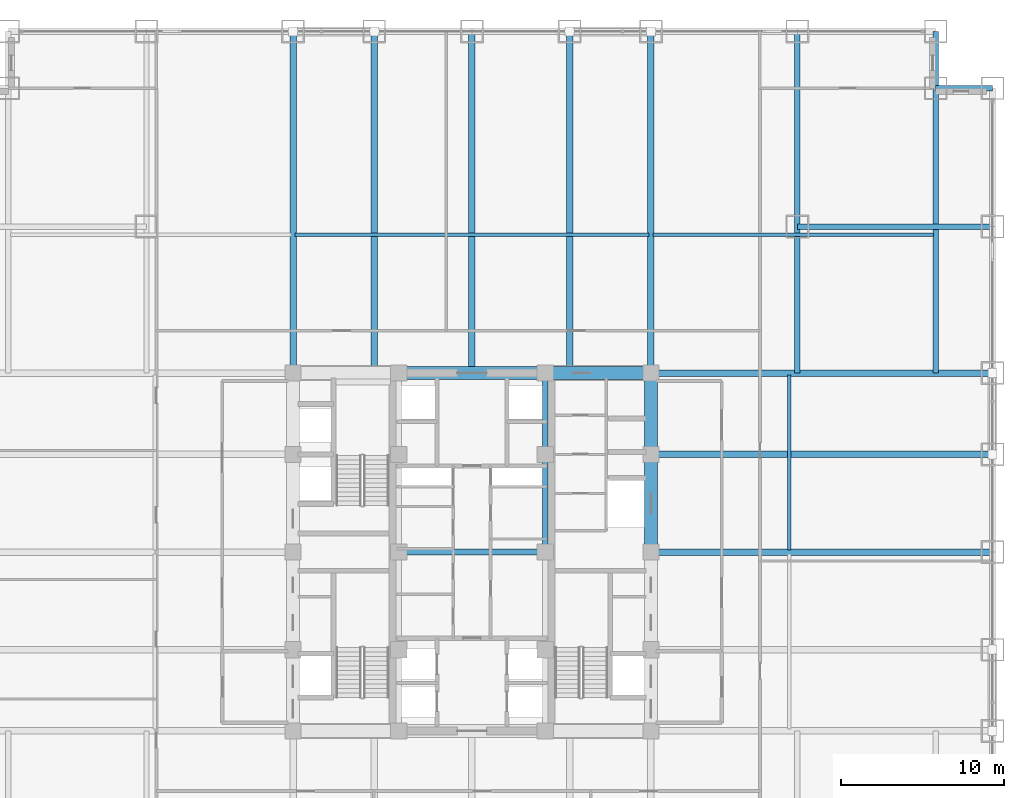
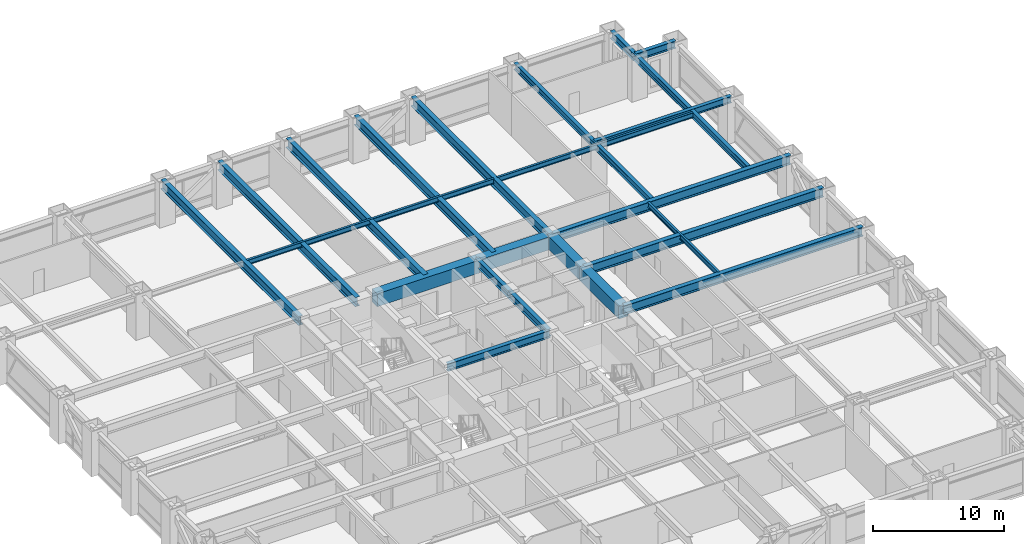
# One storey, part 15 of 28: 23 beams.
"""IFC4 building model written with IfcOpenShell, lengths in metres."""

import ifcopenshell
import ifcopenshell.guid

model = None  # the IFC model being written
_history = None  # IfcOwnerHistory: only IFC2X3 demands one
_inside = {}  # id of a spatial element -> (the spatial element, [elements in it])
_under = {}  # id of a project, library or spatial element -> (it, [spatial elements below it])
_declared = {}  # id of a project -> (the project, [libraries it declares])
_typed = {}  # id of a type object -> (the type object, [elements of that type])
_made_of = {}  # id of a material, layer set ... -> (it, [elements and type objects made of it])


def new_model(schema):
    """Start an empty IFC model of exactly this schema.

    Asked for "IFC4X3", IfcOpenShell would pick the latest addendum, in which some entities
    have other attributes; the version numbers below select the first issue.
    IFC2X3 requires an IfcOwnerHistory on every rooted entity: one is made here for all.
    """
    global model, _history
    if schema == "IFC4X3":
        model = ifcopenshell.file(schema_version=(4, 3, 0, 0))
    else:
        model = ifcopenshell.file(schema=schema)
    _inside.clear()
    _under.clear()
    _declared.clear()
    _typed.clear()
    _made_of.clear()
    _history = None
    if model.schema == "IFC2X3":
        org = make("IfcOrganization", Name="unknown")
        user = make(
            "IfcPersonAndOrganization",
            ThePerson=make("IfcPerson", FamilyName="unknown"),
            TheOrganization=org,
        )
        app = make(
            "IfcApplication",
            ApplicationDeveloper=org,
            Version="unknown",
            ApplicationFullName="unknown",
            ApplicationIdentifier="unknown",
        )
        _history = make(
            "IfcOwnerHistory",
            OwningUser=user,
            OwningApplication=app,
            ChangeAction="ADDED",
            CreationDate=0,
        )
    return model


def make(cls, **values):
    """One entity of the class cls with the attributes given. An attribute that is None is left unset."""
    return model.create_entity(
        cls, **{name: value for name, value in values.items() if value is not None}
    )


def rooted(cls, **values):
    """An entity with a GlobalId (a new one), such as an element, a storey or a relation."""
    return make(cls, GlobalId=ifcopenshell.guid.new(), OwnerHistory=_history, **values)


def si_unit(unit_type, name, prefix=None):
    """IfcSIUnit, for example si_unit("LENGTHUNIT", "METRE", prefix="MILLI")."""
    return make("IfcSIUnit", UnitType=unit_type, Prefix=prefix, Name=name)


def assignment(units):
    """IfcUnitAssignment: the units of a project."""
    return None if units is None else make("IfcUnitAssignment", Units=units)


def point(xyz):
    """IfcCartesianPoint."""
    return None if xyz is None else make("IfcCartesianPoint", Coordinates=xyz)


def direction(xyz):
    """IfcDirection."""
    return None if xyz is None else make("IfcDirection", DirectionRatios=xyz)


def frame(location, z_axis=None, x_axis=None):
    """IfcAxis2Placement3D, a coordinate frame: its origin and axes. An axis left out is left unset."""
    return make(
        "IfcAxis2Placement3D",
        Location=point(location),
        Axis=direction(z_axis),
        RefDirection=direction(x_axis),
    )


def frame_2d(location, x_axis=None):
    """IfcAxis2Placement2D, a coordinate frame in the plane: its origin and x axis."""
    return make(
        "IfcAxis2Placement2D", Location=point(location), RefDirection=direction(x_axis)
    )


def origin():
    """The frame at (0, 0, 0) with its axes left unset."""
    return frame((0.0, 0.0, 0.0))


def origin_2d():
    """The frame at (0, 0) in the plane with its x axis left unset."""
    return frame_2d((0.0, 0.0))


def place(relative_to, where):
    """IfcLocalPlacement: puts the frame where relative to a parent placement (None: the world)."""
    return make(
        "IfcLocalPlacement", PlacementRelTo=relative_to, RelativePlacement=where
    )


def context(
    kind, dimensions, precision=None, world=None, true_north=None, identifier=None
):
    """IfcGeometricRepresentationContext, for example the 3D "Model" context."""
    return make(
        "IfcGeometricRepresentationContext",
        ContextIdentifier=identifier,
        ContextType=kind,
        CoordinateSpaceDimension=dimensions,
        Precision=precision,
        WorldCoordinateSystem=world,
        TrueNorth=true_north,
    )


def subcontext(parent, identifier, kind, view, scale=None):
    """IfcGeometricRepresentationSubContext, for example "Body" below "Model"."""
    return make(
        "IfcGeometricRepresentationSubContext",
        ContextIdentifier=identifier,
        ContextType=kind,
        ParentContext=parent,
        TargetScale=scale,
        TargetView=view,
    )


def project(units=None, contexts=None):
    """IfcProject with its units and contexts."""
    return rooted(
        "IfcProject",
        Name="project",
        RepresentationContexts=contexts,
        UnitsInContext=assignment(units),
    )


def spatial(cls, under=None, at=None, **own):
    """A site, building, storey or space (cls), placed at a placement, below another one or the project."""
    s = rooted(cls, ObjectPlacement=at, **own)
    if under is not None:
        _under.setdefault(under.id(), (under, []))[1].append(s)
    return s


def profile(cls, at=None, kind="AREA", **sizes):
    """A parametric profile (cls). Its sizes go by their IFC names, for example OverallWidth=200.0."""
    return make(cls, ProfileType=kind, Position=at, **sizes)


def rectangle(**sizes):
    """IfcRectangleProfileDef."""
    return profile("IfcRectangleProfileDef", **sizes)


def i_section(**sizes):
    """IfcIShapeProfileDef."""
    return profile("IfcIShapeProfileDef", **sizes)


def extrude(swept, where, along, depth):
    """IfcExtrudedAreaSolid: the profile swept, set in the frame where, extruded along a direction by depth."""
    return make(
        "IfcExtrudedAreaSolid",
        SweptArea=swept,
        Position=where,
        ExtrudedDirection=direction(along),
        Depth=depth,
    )


def shape(context_of_items, identifier, shape_type, items):
    """IfcShapeRepresentation: the items that make up one representation, for example the "Body"."""
    return make(
        "IfcShapeRepresentation",
        ContextOfItems=context_of_items,
        RepresentationIdentifier=identifier,
        RepresentationType=shape_type,
        Items=items,
    )


def source(mapping_origin, context_of_items, identifier, shape_type, items):
    """IfcRepresentationMap: a shape defined once, which mapped items show again and again."""
    return make(
        "IfcRepresentationMap",
        MappingOrigin=mapping_origin,
        MappedRepresentation=shape(context_of_items, identifier, shape_type, items),
    )


def transform(
    local_origin,
    x_axis=None,
    y_axis=None,
    z_axis=None,
    scale=None,
    scale2=None,
    scale3=None,
    uniform=True,
):
    """IfcCartesianTransformationOperator3D, or its non-uniform kind. x_axis, y_axis, z_axis: its Axis1, 2, 3."""
    if uniform:
        return make(
            "IfcCartesianTransformationOperator3D",
            Axis1=direction(x_axis),
            Axis2=direction(y_axis),
            LocalOrigin=point(local_origin),
            Scale=scale,
            Axis3=direction(z_axis),
        )
    return make(
        "IfcCartesianTransformationOperator3DnonUniform",
        Axis1=direction(x_axis),
        Axis2=direction(y_axis),
        LocalOrigin=point(local_origin),
        Scale=scale,
        Axis3=direction(z_axis),
        Scale2=scale2,
        Scale3=scale3,
    )


def mapped(mapping_source, mapping_target):
    """IfcMappedItem: shows the shape of a source again, moved by a transform."""
    return make(
        "IfcMappedItem", MappingSource=mapping_source, MappingTarget=mapping_target
    )


def material(Name=None, Category=None):
    """IfcMaterial."""
    return make("IfcMaterial", Name=Name, Category=Category)


def material_profile(
    of_material, cross_section, Name=None, Category=None, Priority=None
):
    """IfcMaterialProfile: a cross section and its material."""
    return make(
        "IfcMaterialProfile",
        Name=Name,
        Material=of_material,
        Profile=cross_section,
        Priority=Priority,
        Category=Category,
    )


def profile_set(profiles, Name=None, composite=None):
    """IfcMaterialProfileSet."""
    return make(
        "IfcMaterialProfileSet",
        Name=Name,
        MaterialProfiles=profiles,
        CompositeProfile=composite,
    )


def made_of(thing, what):
    """Note that an element or type object is made of a material, layer set ...; save() writes the relation."""
    if what is not None:
        _made_of.setdefault(what.id(), (what, []))[1].append(thing)
    return thing


def type_object(cls, material=None, **own):
    """A type object (cls), such as IfcWallType, which elements share."""
    return made_of(rooted(cls, **own), material)


def element(
    cls,
    number,
    at=None,
    inside=None,
    cuts=None,
    type_object=None,
    material=None,
    context=None,
    identifier="Body",
    shape_type=None,
    held_by="IfcProductDefinitionShape",
    body=None,
    shapes=None,
    **own,
):
    """One element of the class cls, such as IfcWall. Its Tag is "e" and its number.

    at: its placement. inside: the storey or other place that contains it. cuts: it is an
    opening in that element (IfcRelVoidsElement). A single representation is given by context,
    identifier, shape_type and body (its items); several are given by shapes. held_by: the class
    of the entity that holds the representations. save() writes the other relations.
    """
    e = rooted(cls, Tag="e%d" % number, ObjectPlacement=at, **own)
    if body is not None:
        shapes = [shape(context, identifier, shape_type, body)]
    if shapes is not None:
        e.Representation = make(held_by, Representations=shapes)
    if inside is not None:
        _inside.setdefault(inside.id(), (inside, []))[1].append(e)
    if cuts is not None:
        rooted(
            "IfcRelVoidsElement", RelatingBuildingElement=cuts, RelatedOpeningElement=e
        )
    if type_object is not None:
        _typed.setdefault(type_object.id(), (type_object, []))[1].append(e)
    return made_of(e, material)


def aggregate(whole, parts):
    """IfcRelAggregates: a whole, such as a stair, and the parts it consists of."""
    return rooted("IfcRelAggregates", RelatingObject=whole, RelatedObjects=parts)


def save(model, path):
    """Write the relations noted so far, then the file.

    IfcRelAggregates (storeys below a building ...), IfcRelContainedInSpatialStructure (elements
    in a storey), IfcRelDefinesByType, IfcRelAssociatesMaterial and IfcRelDeclares: one each for
    every whole, place, type object, material and project.
    """
    for whole, parts in _under.values():
        aggregate(whole, parts)
    for where, things in _inside.values():
        rooted(
            "IfcRelContainedInSpatialStructure",
            RelatedElements=things,
            RelatingStructure=where,
        )
    for kind, things in _typed.values():
        rooted("IfcRelDefinesByType", RelatedObjects=things, RelatingType=kind)
    for what, things in _made_of.values():
        rooted("IfcRelAssociatesMaterial", RelatedObjects=things, RelatingMaterial=what)
    for by, libraries in _declared.values():
        rooted("IfcRelDeclares", RelatingContext=by, RelatedDefinitions=libraries)
    model.write(path)


model = new_model("IFC4")

# Units and contexts
model_context = context("Model", 3, precision=1e-05, world=origin(), true_north=direction((0.0, 1.0)))
body_context = subcontext(model_context, "Body", "Model", "MODEL_VIEW")
ifc_project = project(units=[si_unit("LENGTHUNIT", "METRE"), si_unit("AREAUNIT", "SQUARE_METRE"), si_unit("VOLUMEUNIT", "CUBIC_METRE"), si_unit("PLANEANGLEUNIT", "RADIAN"), si_unit("MASSUNIT", "GRAM", prefix="KILO")], contexts=[model_context])

# Site, building, storey
site_placement = place(None, origin())
site = spatial("IfcSite", under=ifc_project, at=site_placement, CompositionType="ELEMENT")
building_placement = place(site_placement, origin())
building = spatial("IfcBuilding", under=site, at=building_placement, Name="Khorayat Bourse Tower", CompositionType="ELEMENT")
storey_placement = place(building_placement, frame((0.0, 0.0, 57.800048828125)))
storey = spatial("IfcBuildingStorey", under=building, at=storey_placement, Name="L12", CompositionType="ELEMENT", Elevation=57.800048828125)

# Beams
ifc_material_1 = material(Name="Concrete C72/90", Category="concrete")
ifc_material_profile_1 = material_profile(ifc_material_1, rectangle(XDim=0.800048828125, YDim=1.199951171875, at=origin_2d()), Name="RC 800x1200")
ifc_profile_set_1 = profile_set([ifc_material_profile_1], Name="Concrete C72/90")
beam_type_1 = type_object("IfcBeamType", Name="BM-COUP-1200", PredefinedType="BEAM", material=ifc_profile_set_1)
shared_shape_1 = source(origin(), body_context, "Body", "SweptSolid", [
    extrude(rectangle(XDim=0.800048828125, YDim=1.199951171875, at=origin_2d()), origin(), (0.0, 0.0, 1.0), 5.0),
])
beam_1_placement = place(storey_placement, frame((11.0, 6.0, 3.33984375), z_axis=(0.0, 1.0, 0.0), x_axis=(-1.0, 0.0, 0.0)))
element("IfcBeam", 1, at=beam_1_placement, inside=storey, type_object=beam_type_1, Name="L12 BM-COUP-1200 BM-L12-CRX-16", PredefinedType="BEAM", context=body_context, shape_type="MappedRepresentation", body=[
    mapped(shared_shape_1, transform((0.0, 0.0, 0.0), scale=1.0)),
])
shared_shape_2 = source(origin(), body_context, "Body", "SweptSolid", [
    extrude(rectangle(XDim=0.800048828125, YDim=1.199951171875, at=origin_2d()), origin(), (0.0, 0.0, 1.0), 6.0),
])
beam_2_placement = place(storey_placement, frame((11.0, 0.0, 3.33984375), z_axis=(0.0, 1.0, 0.0), x_axis=(-1.0, 0.0, 0.0)))
element("IfcBeam", 2, at=beam_2_placement, inside=storey, type_object=beam_type_1, Name="L12 BM-COUP-1200 BM-L12-CRX-15", PredefinedType="BEAM", context=body_context, shape_type="MappedRepresentation", body=[
    mapped(shared_shape_2, transform((0.0, 0.0, 0.0), scale=1.0)),
])
ifc_material_2 = material(Name="Steel ASTM A992 Grade 50", Category="steel")
ifc_material_profile_2 = material_profile(ifc_material_2, i_section(OverallWidth=0.35498046875, OverallDepth=0.695068359375, WebThickness=0.015380859375, FlangeThickness=0.02490234375, FilletRadius=0.01806640625, at=origin_2d()), Name="W690X217")
ifc_profile_set_2 = profile_set([ifc_material_profile_2], Name="Steel ASTM A992 Grade 50")
beam_type_2 = type_object("IfcBeamType", Name="BM-GIRD-690", PredefinedType="BEAM", material=ifc_profile_set_2)
shared_shape_3 = source(origin(), body_context, "Body", "SweptSolid", [
    extrude(i_section(OverallWidth=0.35498046875, OverallDepth=0.695068359375, WebThickness=0.015380859375, FlangeThickness=0.02490234375, FilletRadius=0.01806640625, at=origin_2d()), origin(), (0.0, 0.0, 1.0), 5.0),
])
beam_3_placement = place(storey_placement, frame((4.5, 6.0, 3.592529296875), z_axis=(0.0, 1.0, 0.0), x_axis=(-1.0, 0.0, 0.0)))
element("IfcBeam", 3, at=beam_3_placement, inside=storey, type_object=beam_type_2, Name="L12 BM-GIRD-690 BM-L12-CRX-12", PredefinedType="BEAM", context=body_context, shape_type="MappedRepresentation", body=[
    mapped(shared_shape_3, transform((0.0, 0.0, 0.0), scale=1.0)),
])
shared_shape_4 = source(origin(), body_context, "Body", "SweptSolid", [
    extrude(i_section(OverallWidth=0.35498046875, OverallDepth=0.695068359375, WebThickness=0.015380859375, FlangeThickness=0.02490234375, FilletRadius=0.01806640625, at=origin_2d()), origin(), (0.0, 0.0, 1.0), 6.0),
])
beam_4_placement = place(storey_placement, frame((4.5, 0.0, 3.592529296875), z_axis=(0.0, 1.0, 0.0), x_axis=(-1.0, 0.0, 0.0)))
element("IfcBeam", 4, at=beam_4_placement, inside=storey, type_object=beam_type_2, Name="L12 BM-GIRD-690 BM-L12-CRX-11", PredefinedType="BEAM", context=body_context, shape_type="MappedRepresentation", body=[
    mapped(shared_shape_4, transform((0.0, 0.0, 0.0), scale=1.0)),
])
shared_shape_5 = source(origin(), body_context, "Body", "SweptSolid", [
    extrude(rectangle(XDim=0.800048828125, YDim=1.199951171875, at=origin_2d()), origin(), (0.0, 0.0, 1.0), 6.5),
])
beam_5_placement = place(storey_placement, frame((4.5, 11.0, 3.33984375), z_axis=(1.0, 0.0, 0.0), x_axis=(0.0, 1.0, 0.0)))
element("IfcBeam", 5, at=beam_5_placement, inside=storey, type_object=beam_type_1, Name="L12 BM-COUP-1200 BM-L12-CRY-22", PredefinedType="BEAM", context=body_context, shape_type="MappedRepresentation", body=[
    mapped(shared_shape_5, transform((0.0, 0.0, 0.0), scale=1.0)),
])
shared_shape_6 = source(origin(), body_context, "Body", "SweptSolid", [
    extrude(rectangle(XDim=0.800048828125, YDim=1.199951171875, at=origin_2d()), origin(), (0.0, 0.0, 1.0), 9.0),
])
beam_6_placement = place(storey_placement, frame((-4.5, 11.0, 3.33984375), z_axis=(1.0, 0.0, 0.0), x_axis=(0.0, 1.0, 0.0)))
element("IfcBeam", 6, at=beam_6_placement, inside=storey, type_object=beam_type_1, Name="L12 BM-COUP-1200 BM-L12-CRY-21", PredefinedType="BEAM", context=body_context, shape_type="MappedRepresentation", body=[
    mapped(shared_shape_6, transform((0.0, 0.0, 0.0), scale=1.0)),
])
shared_shape_7 = source(origin(), body_context, "Body", "SweptSolid", [
    extrude(i_section(OverallWidth=0.35498046875, OverallDepth=0.695068359375, WebThickness=0.015380859375, FlangeThickness=0.02490234375, FilletRadius=0.01806640625, at=origin_2d()), origin(), (0.0, 0.0, 1.0), 9.0),
])
beam_7_placement = place(storey_placement, frame((-4.5, 0.0, 3.592529296875), z_axis=(1.0, 0.0, 0.0), x_axis=(0.0, 1.0, 0.0)))
element("IfcBeam", 7, at=beam_7_placement, inside=storey, type_object=beam_type_2, Name="L12 BM-GIRD-690 BM-L12-CRY-23", PredefinedType="BEAM", context=body_context, shape_type="MappedRepresentation", body=[
    mapped(shared_shape_7, transform((0.0, 0.0, 0.0), scale=1.0)),
])
ifc_material_profile_3 = material_profile(ifc_material_2, i_section(OverallWidth=0.35498046875, OverallDepth=0.695068359375, WebThickness=0.015380859375, FlangeThickness=0.02490234375, FilletRadius=0.01806640625, at=origin_2d()), Name="W690X217")
ifc_profile_set_3 = profile_set([ifc_material_profile_3], Name="Steel ASTM A992 Grade 50")
beam_type_3 = type_object("IfcBeamType", Name="BM-SPAN-690", PredefinedType="SPANDREL", material=ifc_profile_set_3)
shared_shape_8 = source(origin(), body_context, "Body", "SweptSolid", [
    extrude(i_section(OverallWidth=0.35498046875, OverallDepth=0.695068359375, WebThickness=0.015380859375, FlangeThickness=0.02490234375, FilletRadius=0.01806640625, at=origin_2d()), origin(), (0.0, 0.0, 1.0), 3.5),
])
for number, where, z_axis, x_axis, name in (
    (8, (28.5, 28.5, 3.592529296875), (1.0, 0.0, 0.0), (0.0, 1.0, 0.0), "L12 BM-SPAN-690 BM-L12-SPN-042"),
    (9, (28.5, 28.5, 3.592529296875), (0.0, 1.0, 0.0), (-1.0, 0.0, 0.0), "L12 BM-SPAN-690 BM-L12-SPN-043"),
):
    element("IfcBeam", number, at=place(storey_placement, frame(where, z_axis=z_axis, x_axis=x_axis)), inside=storey, type_object=beam_type_3, Name=name, PredefinedType="SPANDREL", context=body_context, shape_type="MappedRepresentation", body=[
        mapped(shared_shape_8, transform((0.0, 0.0, 0.0), scale=1.0)),
    ])
ifc_material_profile_4 = material_profile(ifc_material_2, i_section(OverallWidth=0.39990234375, OverallDepth=0.85498046875, WebThickness=0.018310546875, FlangeThickness=0.029296875, FilletRadius=0.02001953125, at=origin_2d()), Name="W840X299")
ifc_profile_set_4 = profile_set([ifc_material_profile_4], Name="Steel ASTM A992 Grade 50")
beam_type_4 = type_object("IfcBeamType", Name="BM-GIRD-840", PredefinedType="BEAM", material=ifc_profile_set_4)
shared_shape_9 = source(origin(), body_context, "Body", "SweptSolid", [
    extrude(i_section(OverallWidth=0.39990234375, OverallDepth=0.85498046875, WebThickness=0.018310546875, FlangeThickness=0.029296875, FilletRadius=0.02001953125, at=origin_2d()), origin(), (0.0, 0.0, 1.0), 21.0),
])
for number, where, z_axis, x_axis, name in (
    (10, (-11.0, 11.0, 3.512451171875), (0.0, 1.0, 0.0), (-1.0, 0.0, 0.0), "L12 BM-GIRD-840 BM-L12-RADY-064"),
    (11, (-6.0, 11.0, 3.512451171875), (0.0, 1.0, 0.0), (-1.0, 0.0, 0.0), "L12 BM-GIRD-840 BM-L12-RADY-066"),
    (12, (0.0, 11.0, 3.512451171875), (0.0, 1.0, 0.0), (-1.0, 0.0, 0.0), "L12 BM-GIRD-840 BM-L12-RADY-068"),
    (13, (6.0, 11.0, 3.512451171875), (0.0, 1.0, 0.0), (-1.0, 0.0, 0.0), "L12 BM-GIRD-840 BM-L12-RADY-070"),
    (14, (11.0, 11.0, 3.512451171875), (0.0, 1.0, 0.0), (-1.0, 0.0, 0.0), "L12 BM-GIRD-840 BM-L12-RADY-072"),
    (15, (11.0, 0.0, 3.512451171875), (1.0, 0.0, 0.0), (0.0, 1.0, 0.0), "L12 BM-GIRD-840 BM-L12-RADX-078"),
    (16, (11.0, 6.0, 3.512451171875), (1.0, 0.0, 0.0), (0.0, 1.0, 0.0), "L12 BM-GIRD-840 BM-L12-RADX-080"),
    (17, (11.0, 11.0, 3.512451171875), (1.0, 0.0, 0.0), (0.0, 1.0, 0.0), "L12 BM-GIRD-840 BM-L12-RADX-082"),
):
    element("IfcBeam", number, at=place(storey_placement, frame(where, z_axis=z_axis, x_axis=x_axis)), inside=storey, type_object=beam_type_4, Name=name, PredefinedType="BEAM", context=body_context, shape_type="MappedRepresentation", body=[
        mapped(shared_shape_9, transform((0.0, 0.0, 0.0), scale=1.0)),
    ])
ifc_material_profile_5 = material_profile(ifc_material_2, i_section(OverallWidth=0.324951171875, OverallDepth=0.615966796875, WebThickness=0.013916015625, FlangeThickness=0.021484375, FilletRadius=0.01611328125, at=origin_2d()), Name="W610X174")
ifc_profile_set_5 = profile_set([ifc_material_profile_5], Name="Steel ASTM A992 Grade 50")
beam_type_5 = type_object("IfcBeamType", Name="BM-GIRD-610", PredefinedType="BEAM", material=ifc_profile_set_5)
shared_shape_10 = source(origin(), body_context, "Body", "SweptSolid", [
    extrude(i_section(OverallWidth=0.324951171875, OverallDepth=0.615966796875, WebThickness=0.013916015625, FlangeThickness=0.021484375, FilletRadius=0.01611328125, at=origin_2d()), origin(), (0.0, 0.0, 1.0), 21.0),
])
beam_8_placement = place(storey_placement, frame((20.0, 11.0, 3.6318359375), z_axis=(0.0, 1.0, 0.0), x_axis=(-1.0, 0.0, 0.0)))
element("IfcBeam", 18, at=beam_8_placement, inside=storey, type_object=beam_type_5, Name="L12 BM-GIRD-610 BM-L12-CNRY-087", PredefinedType="BEAM", context=body_context, shape_type="MappedRepresentation", body=[
    mapped(shared_shape_10, transform((0.0, 0.0, 0.0), scale=1.0)),
])
shared_shape_11 = source(origin(), body_context, "Body", "SweptSolid", [
    extrude(i_section(OverallWidth=0.324951171875, OverallDepth=0.615966796875, WebThickness=0.013916015625, FlangeThickness=0.021484375, FilletRadius=0.01611328125, at=origin_2d()), origin(), (0.0, 0.0, 1.0), 17.5),
])
beam_9_placement = place(storey_placement, frame((28.5, 11.0, 3.6318359375), z_axis=(0.0, 1.0, 0.0), x_axis=(-1.0, 0.0, 0.0)))
element("IfcBeam", 19, at=beam_9_placement, inside=storey, type_object=beam_type_5, Name="L12 BM-GIRD-610 BM-L12-CNRY-091", PredefinedType="BEAM", context=body_context, shape_type="MappedRepresentation", body=[
    mapped(shared_shape_11, transform((0.0, 0.0, 0.0), scale=1.0)),
])
shared_shape_12 = source(origin(), body_context, "Body", "SweptSolid", [
    extrude(i_section(OverallWidth=0.324951171875, OverallDepth=0.615966796875, WebThickness=0.013916015625, FlangeThickness=0.021484375, FilletRadius=0.01611328125, at=origin_2d()), origin(), (0.0, 0.0, 1.0), 12.0),
])
beam_10_placement = place(storey_placement, frame((20.0, 20.0, 3.6318359375), z_axis=(1.0, 0.0, 0.0), x_axis=(0.0, 1.0, 0.0)))
element("IfcBeam", 20, at=beam_10_placement, inside=storey, type_object=beam_type_5, Name="L12 BM-GIRD-610 BM-L12-CNRX-094", PredefinedType="BEAM", context=body_context, shape_type="MappedRepresentation", body=[
    mapped(shared_shape_12, transform((0.0, 0.0, 0.0), scale=1.0)),
])
ifc_material_profile_6 = material_profile(ifc_material_2, i_section(OverallWidth=0.194091796875, OverallDepth=0.468994140625, WebThickness=0.0126953125, FlangeThickness=0.0205078125, FilletRadius=0.012939453125, at=origin_2d()), Name="W460X106")
ifc_profile_set_6 = profile_set([ifc_material_profile_6], Name="Steel ASTM A992 Grade 50")
beam_type_6 = type_object("IfcBeamType", Name="BM-JOIST-460", PredefinedType="JOIST", material=ifc_profile_set_6)
shared_shape_13 = source(origin(), body_context, "Body", "SweptSolid", [
    extrude(i_section(OverallWidth=0.194091796875, OverallDepth=0.468994140625, WebThickness=0.0126953125, FlangeThickness=0.0205078125, FilletRadius=0.012939453125, at=origin_2d()), origin(), (0.0, 0.0, 1.0), 17.240234375),
])
beam_11_placement = place(storey_placement, frame((11.1298828125, 19.5, 3.70556640625), z_axis=(1.0, 0.0, 0.0), x_axis=(0.0, 1.0, 0.0)))
element("IfcBeam", 21, at=beam_11_placement, inside=storey, type_object=beam_type_6, Name="L12 BM-JOIST-460 BM-L12-JSTX-101", PredefinedType="JOIST", context=body_context, shape_type="MappedRepresentation", body=[
    mapped(shared_shape_13, transform((0.0, 0.0, 0.0), scale=1.0)),
])
shared_shape_14 = source(origin(), body_context, "Body", "SweptSolid", [
    extrude(i_section(OverallWidth=0.194091796875, OverallDepth=0.468994140625, WebThickness=0.0126953125, FlangeThickness=0.0205078125, FilletRadius=0.012939453125, at=origin_2d()), origin(), (0.0, 0.0, 1.0), 21.740234375),
])
beam_12_placement = place(storey_placement, frame((-10.8701171875, 19.5, 3.70556640625), z_axis=(1.0, 0.0, 0.0), x_axis=(0.0, 1.0, 0.0)))
element("IfcBeam", 22, at=beam_12_placement, inside=storey, type_object=beam_type_6, Name="L12 BM-JOIST-460 BM-L12-JSTX-100", PredefinedType="JOIST", context=body_context, shape_type="MappedRepresentation", body=[
    mapped(shared_shape_14, transform((0.0, 0.0, 0.0), scale=1.0)),
])
shared_shape_15 = source(origin(), body_context, "Body", "SweptSolid", [
    extrude(i_section(OverallWidth=0.194091796875, OverallDepth=0.468994140625, WebThickness=0.0126953125, FlangeThickness=0.0205078125, FilletRadius=0.012939453125, at=origin_2d()), origin(), (0.0, 0.0, 1.0), 10.740234375),
])
beam_13_placement = place(storey_placement, frame((19.5, 0.1298828125, 3.70556640625), z_axis=(0.0, 1.0, 0.0), x_axis=(-1.0, 0.0, 0.0)))
element("IfcBeam", 23, at=beam_13_placement, inside=storey, type_object=beam_type_6, Name="L12 BM-JOIST-460 BM-L12-JSTY-105", PredefinedType="JOIST", context=body_context, shape_type="MappedRepresentation", body=[
    mapped(shared_shape_15, transform((0.0, 0.0, 0.0), scale=1.0)),
])

save(model, "model.ifc")
